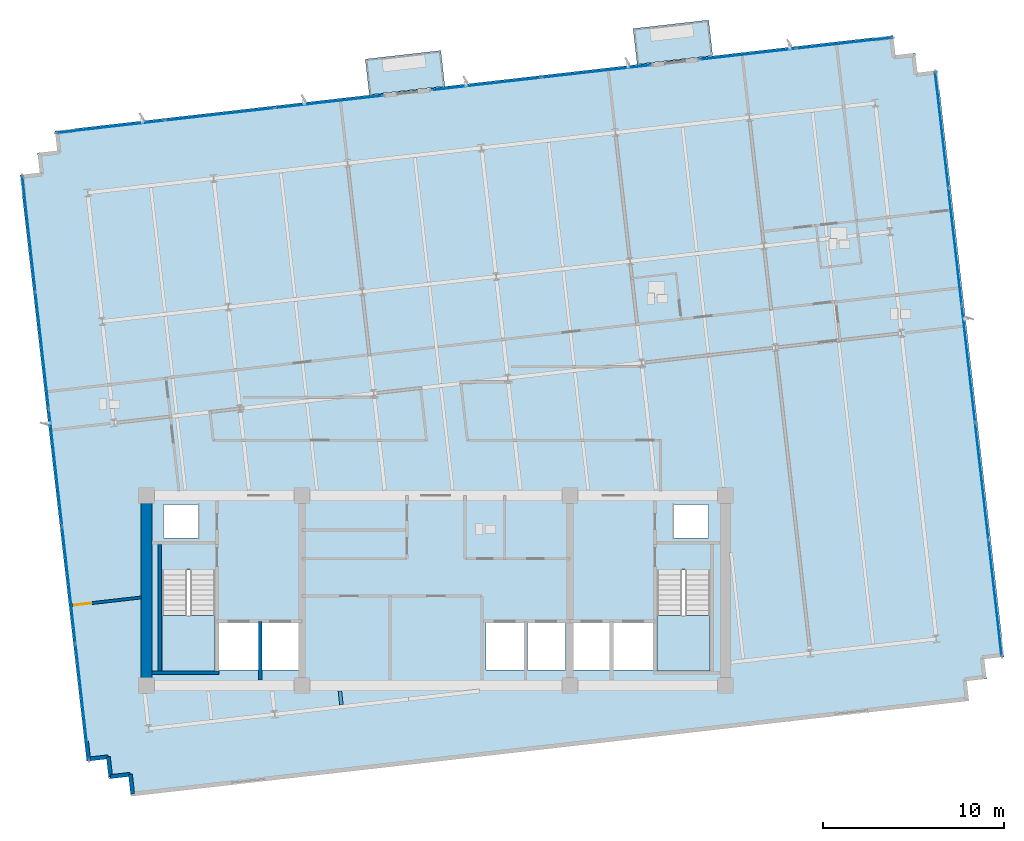
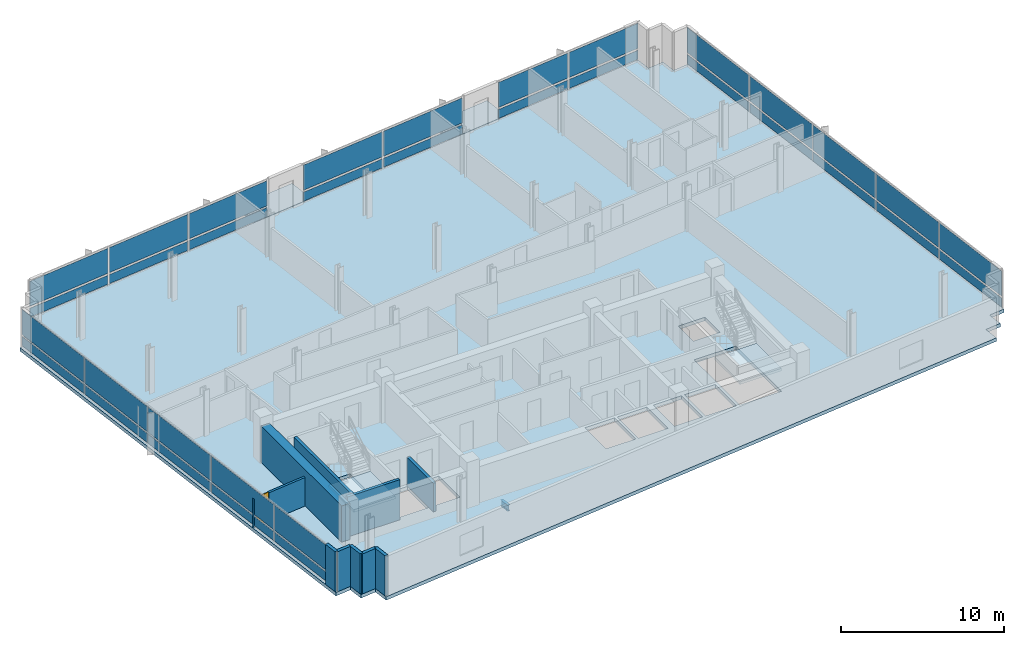
# One storey, part 7 of 14: 34 plates, 10 walls, 5 slabs, 1 beam, 1 door, 1 opening, 7 elements without a shape of their own.
"""IFC4 building model written with IfcOpenShell, lengths in metres."""

from ifc_helpers import new_model, si_unit, direction, frame, frame_2d, origin, origin_2d, place, context, subcontext, project, spatial, polyline, rectangle, i_section, outline, extrude, material, layer, layer_set, material_profile, profile_set, type_object, element, fill, aggregate, save


model = new_model("IFC4")

# Units and contexts
model_context = context("Model", 3, precision=1e-05, world=origin(), true_north=direction((0.0, 1.0)))
body_context = subcontext(model_context, "Body", "Model", "MODEL_VIEW")
ifc_project = project(units=[si_unit("LENGTHUNIT", "METRE"), si_unit("AREAUNIT", "SQUARE_METRE"), si_unit("VOLUMEUNIT", "CUBIC_METRE"), si_unit("PLANEANGLEUNIT", "RADIAN"), si_unit("MASSUNIT", "GRAM", prefix="KILO")], contexts=[model_context])

# Site, building, storey
site_placement = place(None, origin())
site = spatial("IfcSite", under=ifc_project, at=site_placement, CompositionType="ELEMENT")
building_placement = place(site_placement, origin())
building = spatial("IfcBuilding", under=site, at=building_placement, Name="Solmavex Isthmus Hotel", CompositionType="ELEMENT")
storey_placement = place(building_placement, frame((0.0, 0.0, 236.550048828125)))
storey = spatial("IfcBuildingStorey", under=building, at=storey_placement, Name="L64", CompositionType="ELEMENT", Elevation=236.550048828125)

# Beam
ifc_material_1 = material(Name="Steel ASTM A992 Grade 50", Category="steel")
ifc_material_profile = material_profile(ifc_material_1, i_section(OverallWidth=0.1904296875, OverallDepth=0.456787109375, WebThickness=0.009033203125, FlangeThickness=0.014404296875, FilletRadius=0.0126953125, at=origin_2d()), Name="W18X50")
ifc_profile_set = profile_set([ifc_material_profile], Name="Steel ASTM A992 Grade 50")
beam_type = type_object("IfcBeamType", Name="BM-BJ-W18X50", PredefinedType="JOIST", material=ifc_profile_set)
beam_placement = place(storey_placement, frame((-5.2236328125, -14.05419921875, -0.488525390625), z_axis=(-0.112902470797, 0.993606074905, 0.0), x_axis=(-0.993606074905, -0.112902470797, 0.0)))
element("IfcBeam", 1, at=beam_placement, inside=storey, type_object=beam_type, Name="Secondary Floor Joist L64-J05", PredefinedType="JOIST", context=body_context, shape_type="SweptSolid", body=[
    extrude(i_section(OverallWidth=0.1904296875, OverallDepth=0.456787109375, WebThickness=0.009033203125, FlangeThickness=0.014404296875, FilletRadius=0.0126953125, at=origin_2d()), origin(), (0.0, 0.0, 1.0), 0.759033203125),
])

# Curtain wall, plates
ifc_material_2 = material(Name="Aluminium alloy 6063-T6", Category="aluminium")
curtain_wall_type = type_object("IfcCurtainWallType", Name="CW-SYS-04", PredefinedType="NOTDEFINED", material=ifc_material_2)
curtain_wall_1_placement = place(storey_placement, origin())
curtain_wall_1 = element("IfcCurtainWall", 2, at=curtain_wall_1_placement, inside=storey, type_object=curtain_wall_type, Name="Stick Curtain Wall CWL-L64-N1", PredefinedType="NOTDEFINED")
ifc_material_3 = material(Name="Clear low-E laminated glass", Category="glass")
ifc_layer_1 = layer(ifc_material_3, 0.033935546875)
ifc_layer_set_1 = layer_set([ifc_layer_1], Name="Clear low-E laminated glass")
plate_type = type_object("IfcPlateType", Name="CW-SYS-04-PNL", PredefinedType="CURTAIN_PANEL", material=ifc_layer_set_1)
plate_1_placement = place(storey_placement, frame((-17.985595703125, 17.87109375, 0.14990234375), z_axis=(0.0, 0.0, 1.0), x_axis=(0.993571885329, 0.113202953513, 0.0)))
plate_1 = element("IfcPlate", 3, at=plate_1_placement, type_object=plate_type, Name="CW-04 panel 1.1", PredefinedType="CURTAIN_PANEL", context=body_context, shape_type="SweptSolid", body=[
    extrude(rectangle(XDim=5.979736328125, YDim=0.033935546875, at=origin_2d()), origin(), (0.0, 0.0, 1.0), 0.675048828125),
])
plate_2_placement = place(storey_placement, frame((-17.985595703125, 17.87109375, 0.974853515625), z_axis=(0.0, 0.0, 1.0), x_axis=(0.993571885329, 0.113202953513, 0.0)))
plate_2 = element("IfcPlate", 4, at=plate_2_placement, type_object=plate_type, Name="CW-04 panel 1.2", PredefinedType="CURTAIN_PANEL", context=body_context, shape_type="SweptSolid", body=[
    extrude(rectangle(XDim=5.979736328125, YDim=0.033935546875, at=origin_2d()), origin(), (0.0, 0.0, 1.0), 1.875),
])
plate_3_placement = place(storey_placement, frame((-11.951171875, 18.558837890625, 0.14990234375), z_axis=(0.0, 0.0, 1.0), x_axis=(0.993571885329, 0.113202953513, 0.0)))
plate_3 = element("IfcPlate", 5, at=plate_3_placement, type_object=plate_type, Name="CW-04 panel 2.1", PredefinedType="CURTAIN_PANEL", context=body_context, shape_type="SweptSolid", body=[
    extrude(rectangle(XDim=6.017333984375, YDim=0.033935546875, at=origin_2d()), origin(), (0.0, 0.0, 1.0), 0.675048828125),
])
plate_4_placement = place(storey_placement, frame((-11.951171875, 18.558837890625, 0.974853515625), z_axis=(0.0, 0.0, 1.0), x_axis=(0.993571885329, 0.113202953513, 0.0)))
plate_4 = element("IfcPlate", 6, at=plate_4_placement, type_object=plate_type, Name="CW-04 panel 2.2", PredefinedType="CURTAIN_PANEL", context=body_context, shape_type="SweptSolid", body=[
    extrude(rectangle(XDim=6.017333984375, YDim=0.033935546875, at=origin_2d()), origin(), (0.0, 0.0, 1.0), 1.875),
])
plate_5_placement = place(storey_placement, frame((-5.91650390625, 19.246337890625, 0.14990234375), z_axis=(0.0, 0.0, 1.0), x_axis=(0.993571885329, 0.113202953513, 0.0)))
plate_5 = element("IfcPlate", 7, at=plate_5_placement, type_object=plate_type, Name="CW-04 panel 3.1", PredefinedType="CURTAIN_PANEL", context=body_context, shape_type="SweptSolid", body=[
    extrude(rectangle(XDim=5.979736328125, YDim=0.033935546875, at=origin_2d()), origin(), (0.0, 0.0, 1.0), 0.675048828125),
])
plate_6_placement = place(storey_placement, frame((-5.91650390625, 19.246337890625, 0.974853515625), z_axis=(0.0, 0.0, 1.0), x_axis=(0.993571885329, 0.113202953513, 0.0)))
plate_6 = element("IfcPlate", 8, at=plate_6_placement, type_object=plate_type, Name="CW-04 panel 3.2", PredefinedType="CURTAIN_PANEL", context=body_context, shape_type="SweptSolid", body=[
    extrude(rectangle(XDim=5.979736328125, YDim=0.033935546875, at=origin_2d()), origin(), (0.0, 0.0, 1.0), 1.875),
])
aggregate(curtain_wall_1, [plate_1, plate_2, plate_3, plate_4, plate_5, plate_6])

curtain_wall_2_placement = place(storey_placement, origin())
curtain_wall_2 = element("IfcCurtainWall", 9, at=curtain_wall_2_placement, inside=storey, type_object=curtain_wall_type, Name="Stick Curtain Wall CWL-L64-N2", PredefinedType="NOTDEFINED")
plate_7_placement = place(storey_placement, frame((2.78369140625, 20.237548828125, 0.14990234375), z_axis=(0.0, 0.0, 1.0), x_axis=(0.993571896348, 0.113202856801, 0.0)))
plate_7 = element("IfcPlate", 10, at=plate_7_placement, type_object=plate_type, Name="CW-04 panel 1.1", PredefinedType="CURTAIN_PANEL", context=body_context, shape_type="SweptSolid", body=[
    extrude(rectangle(XDim=6.033447265625, YDim=0.033935546875, at=origin_2d()), origin(), (0.0, 0.0, 1.0), 0.675048828125),
])
plate_8_placement = place(storey_placement, frame((2.78369140625, 20.237548828125, 0.974853515625), z_axis=(0.0, 0.0, 1.0), x_axis=(0.993571896348, 0.113202856801, 0.0)))
plate_8 = element("IfcPlate", 11, at=plate_8_placement, type_object=plate_type, Name="CW-04 panel 1.2", PredefinedType="CURTAIN_PANEL", context=body_context, shape_type="SweptSolid", body=[
    extrude(rectangle(XDim=6.033447265625, YDim=0.033935546875, at=origin_2d()), origin(), (0.0, 0.0, 1.0), 1.875),
])
plate_9_placement = place(storey_placement, frame((8.85302734375, 20.928955078125, 0.14990234375), z_axis=(0.0, 0.0, 1.0), x_axis=(0.993571896348, 0.113202856801, 0.0)))
plate_9 = element("IfcPlate", 12, at=plate_9_placement, type_object=plate_type, Name="CW-04 panel 2.1", PredefinedType="CURTAIN_PANEL", context=body_context, shape_type="SweptSolid", body=[
    extrude(rectangle(XDim=6.033447265625, YDim=0.033935546875, at=origin_2d()), origin(), (0.0, 0.0, 1.0), 0.675048828125),
])
plate_10_placement = place(storey_placement, frame((8.85302734375, 20.928955078125, 0.974853515625), z_axis=(0.0, 0.0, 1.0), x_axis=(0.993571896348, 0.113202856801, 0.0)))
plate_10 = element("IfcPlate", 13, at=plate_10_placement, type_object=plate_type, Name="CW-04 panel 2.2", PredefinedType="CURTAIN_PANEL", context=body_context, shape_type="SweptSolid", body=[
    extrude(rectangle(XDim=6.033447265625, YDim=0.033935546875, at=origin_2d()), origin(), (0.0, 0.0, 1.0), 1.875),
])
aggregate(curtain_wall_2, [plate_7, plate_8, plate_9, plate_10])

curtain_wall_3_placement = place(storey_placement, origin())
curtain_wall_3 = element("IfcCurtainWall", 14, at=curtain_wall_3_placement, inside=storey, type_object=curtain_wall_type, Name="Stick Curtain Wall CWL-L64-N3", PredefinedType="NOTDEFINED")
plate_11_placement = place(storey_placement, frame((17.217041015625, 21.882080078125, 0.14990234375), z_axis=(0.0, 0.0, 1.0), x_axis=(0.993571797279, 0.113203726319, 0.0)))
plate_11 = element("IfcPlate", 15, at=plate_11_placement, type_object=plate_type, Name="CW-04 panel 1.1", PredefinedType="CURTAIN_PANEL", context=body_context, shape_type="SweptSolid", body=[
    extrude(rectangle(XDim=5.302978515625, YDim=0.033935546875, at=origin_2d()), origin(), (0.0, 0.0, 1.0), 0.675048828125),
])
plate_12_placement = place(storey_placement, frame((17.217041015625, 21.882080078125, 0.974853515625), z_axis=(0.0, 0.0, 1.0), x_axis=(0.993571797279, 0.113203726319, 0.0)))
plate_12 = element("IfcPlate", 16, at=plate_12_placement, type_object=plate_type, Name="CW-04 panel 1.2", PredefinedType="CURTAIN_PANEL", context=body_context, shape_type="SweptSolid", body=[
    extrude(rectangle(XDim=5.302978515625, YDim=0.033935546875, at=origin_2d()), origin(), (0.0, 0.0, 1.0), 1.875),
])
plate_13_placement = place(storey_placement, frame((22.560546875, 22.49072265625, 0.14990234375), z_axis=(0.0, 0.0, 1.0), x_axis=(0.993571797279, 0.113203726319, 0.0)))
plate_13 = element("IfcPlate", 17, at=plate_13_placement, type_object=plate_type, Name="CW-04 panel 2.1", PredefinedType="CURTAIN_PANEL", context=body_context, shape_type="SweptSolid", body=[
    extrude(rectangle(XDim=5.302978515625, YDim=0.033935546875, at=origin_2d()), origin(), (0.0, 0.0, 1.0), 0.675048828125),
])
plate_14_placement = place(storey_placement, frame((22.560546875, 22.49072265625, 0.974853515625), z_axis=(0.0, 0.0, 1.0), x_axis=(0.993571797279, 0.113203726319, 0.0)))
plate_14 = element("IfcPlate", 18, at=plate_14_placement, type_object=plate_type, Name="CW-04 panel 2.2", PredefinedType="CURTAIN_PANEL", context=body_context, shape_type="SweptSolid", body=[
    extrude(rectangle(XDim=5.302978515625, YDim=0.033935546875, at=origin_2d()), origin(), (0.0, 0.0, 1.0), 1.875),
])
aggregate(curtain_wall_3, [plate_11, plate_12, plate_13, plate_14])

curtain_wall_4_placement = place(storey_placement, origin())
curtain_wall_4 = element("IfcCurtainWall", 19, at=curtain_wall_4_placement, inside=storey, type_object=curtain_wall_type, Name="Stick Curtain Wall CWL-L64-W1", PredefinedType="NOTDEFINED")
plate_15_placement = place(storey_placement, frame((-19.542724609375, -13.91064453125, 0.14990234375), z_axis=(0.0, 0.0, 1.0), x_axis=(-0.11320338078, 0.993571836648, 0.0)))
plate_15 = element("IfcPlate", 20, at=plate_15_placement, type_object=plate_type, Name="CW-04 panel 1.1", PredefinedType="CURTAIN_PANEL", context=body_context, shape_type="SweptSolid", body=[
    extrude(rectangle(XDim=6.407470703125, YDim=0.033935546875, at=origin_2d()), origin(), (0.0, 0.0, 1.0), 0.675048828125),
])
plate_16_placement = place(storey_placement, frame((-19.542724609375, -13.91064453125, 0.974853515625), z_axis=(0.0, 0.0, 1.0), x_axis=(-0.11320338078, 0.993571836648, 0.0)))
plate_16 = element("IfcPlate", 21, at=plate_16_placement, type_object=plate_type, Name="CW-04 panel 1.2", PredefinedType="CURTAIN_PANEL", context=body_context, shape_type="SweptSolid", body=[
    extrude(rectangle(XDim=6.407470703125, YDim=0.033935546875, at=origin_2d()), origin(), (0.0, 0.0, 1.0), 1.875),
])
plate_17_placement = place(storey_placement, frame((-20.27880859375, -7.451171875, 0.14990234375), z_axis=(0.0, 0.0, 1.0), x_axis=(-0.11320338078, 0.993571836648, 0.0)))
plate_17 = element("IfcPlate", 22, at=plate_17_placement, type_object=plate_type, Name="CW-04 panel 2.1", PredefinedType="CURTAIN_PANEL", context=body_context, shape_type="SweptSolid", body=[
    extrude(rectangle(XDim=6.445068359375, YDim=0.033935546875, at=origin_2d()), origin(), (0.0, 0.0, 1.0), 0.675048828125),
])
plate_18_placement = place(storey_placement, frame((-20.27880859375, -7.451171875, 0.974853515625), z_axis=(0.0, 0.0, 1.0), x_axis=(-0.11320338078, 0.993571836648, 0.0)))
plate_18 = element("IfcPlate", 23, at=plate_18_placement, type_object=plate_type, Name="CW-04 panel 2.2", PredefinedType="CURTAIN_PANEL", context=body_context, shape_type="SweptSolid", body=[
    extrude(rectangle(XDim=6.445068359375, YDim=0.033935546875, at=origin_2d()), origin(), (0.0, 0.0, 1.0), 1.875),
])
plate_19_placement = place(storey_placement, frame((-21.016845703125, -0.97314453125, 0.14990234375), z_axis=(0.0, 0.0, 1.0), x_axis=(-0.11320338078, 0.993571836648, 0.0)))
plate_19 = element("IfcPlate", 24, at=plate_19_placement, type_object=plate_type, Name="CW-04 panel 3.1", PredefinedType="CURTAIN_PANEL", context=body_context, shape_type="SweptSolid", body=[
    extrude(rectangle(XDim=6.445068359375, YDim=0.033935546875, at=origin_2d()), origin(), (0.0, 0.0, 1.0), 0.675048828125),
])
plate_20_placement = place(storey_placement, frame((-21.016845703125, -0.97314453125, 0.974853515625), z_axis=(0.0, 0.0, 1.0), x_axis=(-0.11320338078, 0.993571836648, 0.0)))
plate_20 = element("IfcPlate", 25, at=plate_20_placement, type_object=plate_type, Name="CW-04 panel 3.2", PredefinedType="CURTAIN_PANEL", context=body_context, shape_type="SweptSolid", body=[
    extrude(rectangle(XDim=6.445068359375, YDim=0.033935546875, at=origin_2d()), origin(), (0.0, 0.0, 1.0), 1.875),
])
plate_21_placement = place(storey_placement, frame((-21.7548828125, 5.5048828125, 0.14990234375), z_axis=(0.0, 0.0, 1.0), x_axis=(-0.11320338078, 0.993571836648, 0.0)))
plate_21 = element("IfcPlate", 26, at=plate_21_placement, type_object=plate_type, Name="CW-04 panel 4.1", PredefinedType="CURTAIN_PANEL", context=body_context, shape_type="SweptSolid", body=[
    extrude(rectangle(XDim=6.445068359375, YDim=0.033935546875, at=origin_2d()), origin(), (0.0, 0.0, 1.0), 0.675048828125),
])
plate_22_placement = place(storey_placement, frame((-21.7548828125, 5.5048828125, 0.974853515625), z_axis=(0.0, 0.0, 1.0), x_axis=(-0.11320338078, 0.993571836648, 0.0)))
plate_22 = element("IfcPlate", 27, at=plate_22_placement, type_object=plate_type, Name="CW-04 panel 4.2", PredefinedType="CURTAIN_PANEL", context=body_context, shape_type="SweptSolid", body=[
    extrude(rectangle(XDim=6.445068359375, YDim=0.033935546875, at=origin_2d()), origin(), (0.0, 0.0, 1.0), 1.875),
])
plate_23_placement = place(storey_placement, frame((-22.490966796875, 11.96435546875, 0.14990234375), z_axis=(0.0, 0.0, 1.0), x_axis=(-0.11320338078, 0.993571836648, 0.0)))
plate_23 = element("IfcPlate", 28, at=plate_23_placement, type_object=plate_type, Name="CW-04 panel 5.1", PredefinedType="CURTAIN_PANEL", context=body_context, shape_type="SweptSolid", body=[
    extrude(rectangle(XDim=6.407470703125, YDim=0.033935546875, at=origin_2d()), origin(), (0.0, 0.0, 1.0), 0.675048828125),
])
plate_24_placement = place(storey_placement, frame((-22.490966796875, 11.96435546875, 0.974853515625), z_axis=(0.0, 0.0, 1.0), x_axis=(-0.11320338078, 0.993571836648, 0.0)))
plate_24 = element("IfcPlate", 29, at=plate_24_placement, type_object=plate_type, Name="CW-04 panel 5.2", PredefinedType="CURTAIN_PANEL", context=body_context, shape_type="SweptSolid", body=[
    extrude(rectangle(XDim=6.407470703125, YDim=0.033935546875, at=origin_2d()), origin(), (0.0, 0.0, 1.0), 1.875),
])
aggregate(curtain_wall_4, [plate_15, plate_16, plate_17, plate_18, plate_19, plate_20, plate_21, plate_22, plate_23, plate_24])

curtain_wall_5_placement = place(storey_placement, origin())
curtain_wall_5 = element("IfcCurtainWall", 30, at=curtain_wall_5_placement, inside=storey, type_object=curtain_wall_type, Name="Stick Curtain Wall CWL-L64-E1", PredefinedType="NOTDEFINED")
plate_25_placement = place(storey_placement, frame((30.890869140625, -8.16455078125, 0.14990234375), z_axis=(0.0, 0.0, 1.0), x_axis=(-0.11320338078, 0.993571836648, 0.0)))
plate_25 = element("IfcPlate", 31, at=plate_25_placement, type_object=plate_type, Name="CW-04 panel 1.1", PredefinedType="CURTAIN_PANEL", context=body_context, shape_type="SweptSolid", body=[
    extrude(rectangle(XDim=6.407470703125, YDim=0.033935546875, at=origin_2d()), origin(), (0.0, 0.0, 1.0), 0.675048828125),
])
plate_26_placement = place(storey_placement, frame((30.890869140625, -8.16455078125, 0.974853515625), z_axis=(0.0, 0.0, 1.0), x_axis=(-0.11320338078, 0.993571836648, 0.0)))
plate_26 = element("IfcPlate", 32, at=plate_26_placement, type_object=plate_type, Name="CW-04 panel 1.2", PredefinedType="CURTAIN_PANEL", context=body_context, shape_type="SweptSolid", body=[
    extrude(rectangle(XDim=6.407470703125, YDim=0.033935546875, at=origin_2d()), origin(), (0.0, 0.0, 1.0), 1.875),
])
plate_27_placement = place(storey_placement, frame((30.155029296875, -1.705078125, 0.14990234375), z_axis=(0.0, 0.0, 1.0), x_axis=(-0.11320338078, 0.993571836648, 0.0)))
plate_27 = element("IfcPlate", 33, at=plate_27_placement, type_object=plate_type, Name="CW-04 panel 2.1", PredefinedType="CURTAIN_PANEL", context=body_context, shape_type="SweptSolid", body=[
    extrude(rectangle(XDim=6.445068359375, YDim=0.033935546875, at=origin_2d()), origin(), (0.0, 0.0, 1.0), 0.675048828125),
])
plate_28_placement = place(storey_placement, frame((30.155029296875, -1.705078125, 0.974853515625), z_axis=(0.0, 0.0, 1.0), x_axis=(-0.11320338078, 0.993571836648, 0.0)))
plate_28 = element("IfcPlate", 34, at=plate_28_placement, type_object=plate_type, Name="CW-04 panel 2.2", PredefinedType="CURTAIN_PANEL", context=body_context, shape_type="SweptSolid", body=[
    extrude(rectangle(XDim=6.445068359375, YDim=0.033935546875, at=origin_2d()), origin(), (0.0, 0.0, 1.0), 1.875),
])
plate_29_placement = place(storey_placement, frame((29.416748046875, 4.773193359375, 0.14990234375), z_axis=(0.0, 0.0, 1.0), x_axis=(-0.11320338078, 0.993571836648, 0.0)))
plate_29 = element("IfcPlate", 35, at=plate_29_placement, type_object=plate_type, Name="CW-04 panel 3.1", PredefinedType="CURTAIN_PANEL", context=body_context, shape_type="SweptSolid", body=[
    extrude(rectangle(XDim=6.445068359375, YDim=0.033935546875, at=origin_2d()), origin(), (0.0, 0.0, 1.0), 0.675048828125),
])
plate_30_placement = place(storey_placement, frame((29.416748046875, 4.773193359375, 0.974853515625), z_axis=(0.0, 0.0, 1.0), x_axis=(-0.11320338078, 0.993571836648, 0.0)))
plate_30 = element("IfcPlate", 36, at=plate_30_placement, type_object=plate_type, Name="CW-04 panel 3.2", PredefinedType="CURTAIN_PANEL", context=body_context, shape_type="SweptSolid", body=[
    extrude(rectangle(XDim=6.445068359375, YDim=0.033935546875, at=origin_2d()), origin(), (0.0, 0.0, 1.0), 1.875),
])
plate_31_placement = place(storey_placement, frame((28.6787109375, 11.251220703125, 0.14990234375), z_axis=(0.0, 0.0, 1.0), x_axis=(-0.11320338078, 0.993571836648, 0.0)))
plate_31 = element("IfcPlate", 37, at=plate_31_placement, type_object=plate_type, Name="CW-04 panel 4.1", PredefinedType="CURTAIN_PANEL", context=body_context, shape_type="SweptSolid", body=[
    extrude(rectangle(XDim=6.445068359375, YDim=0.033935546875, at=origin_2d()), origin(), (0.0, 0.0, 1.0), 0.675048828125),
])
plate_32_placement = place(storey_placement, frame((28.6787109375, 11.251220703125, 0.974853515625), z_axis=(0.0, 0.0, 1.0), x_axis=(-0.11320338078, 0.993571836648, 0.0)))
plate_32 = element("IfcPlate", 38, at=plate_32_placement, type_object=plate_type, Name="CW-04 panel 4.2", PredefinedType="CURTAIN_PANEL", context=body_context, shape_type="SweptSolid", body=[
    extrude(rectangle(XDim=6.445068359375, YDim=0.033935546875, at=origin_2d()), origin(), (0.0, 0.0, 1.0), 1.875),
])
plate_33_placement = place(storey_placement, frame((27.94287109375, 17.710693359375, 0.14990234375), z_axis=(0.0, 0.0, 1.0), x_axis=(-0.11320338078, 0.993571836648, 0.0)))
plate_33 = element("IfcPlate", 39, at=plate_33_placement, type_object=plate_type, Name="CW-04 panel 5.1", PredefinedType="CURTAIN_PANEL", context=body_context, shape_type="SweptSolid", body=[
    extrude(rectangle(XDim=6.407470703125, YDim=0.033935546875, at=origin_2d()), origin(), (0.0, 0.0, 1.0), 0.675048828125),
])
plate_34_placement = place(storey_placement, frame((27.94287109375, 17.710693359375, 0.974853515625), z_axis=(0.0, 0.0, 1.0), x_axis=(-0.11320338078, 0.993571836648, 0.0)))
plate_34 = element("IfcPlate", 40, at=plate_34_placement, type_object=plate_type, Name="CW-04 panel 5.2", PredefinedType="CURTAIN_PANEL", context=body_context, shape_type="SweptSolid", body=[
    extrude(rectangle(XDim=6.407470703125, YDim=0.033935546875, at=origin_2d()), origin(), (0.0, 0.0, 1.0), 1.875),
])
aggregate(curtain_wall_5, [plate_25, plate_26, plate_27, plate_28, plate_29, plate_30, plate_31, plate_32, plate_33, plate_34])

# Slabs
ifc_material_4 = material(Name="Concrete C40/50", Category="concrete")
ifc_layer_2 = layer(ifc_material_4, 0.239990234375)
ifc_layer_set_2 = layer_set([ifc_layer_2], Name="Concrete C40/50")
slab_type_1 = type_object("IfcSlabType", Name="SLAB-BALC-240", PredefinedType="FLOOR", material=ifc_layer_set_2)
slab_1_placement = place(storey_placement, frame((0.0, 0.0, -0.239990234375)))
element("IfcSlab", 41, at=slab_1_placement, inside=storey, type_object=slab_type_1, Name="Tree-Planter Balcony Slab L64-B1", PredefinedType="FLOOR", context=body_context, shape_type="SweptSolid", body=[
    extrude(outline(polyline([(-3.681640625, 19.63671875), (0.491455078125, 20.1123046875), (0.266845703125, 22.08447265625), (-3.90625, 21.609130859375), (-3.681640625, 19.63671875)])), origin(), (0.0, 0.0, 1.0), 0.239990234375),
])
slab_2_placement = place(storey_placement, frame((0.0, 0.0, -0.239990234375)))
element("IfcSlab", 42, at=slab_2_placement, inside=storey, type_object=slab_type_1, Name="Tree-Planter Balcony Slab L64-B2", PredefinedType="FLOOR", context=body_context, shape_type="SweptSolid", body=[
    extrude(outline(polyline([(11.11474609375, 21.322509765625), (15.287841796875, 21.798095703125), (15.06298828125, 23.770263671875), (10.89013671875, 23.294921875), (11.11474609375, 21.322509765625)])), origin(), (0.0, 0.0, 1.0), 0.239990234375),
])
ifc_layer_3 = layer(ifc_material_4, 0.260009765625)
ifc_layer_set_3 = layer_set([ifc_layer_3], Name="Concrete C40/50")
slab_type_2 = type_object("IfcSlabType", Name="SLAB-TYP-260", PredefinedType="FLOOR", material=ifc_layer_set_3)
slab_3_placement = place(storey_placement, frame((0.0, 0.0, -0.260009765625)))
element("IfcSlab", 43, at=slab_3_placement, inside=storey, type_object=slab_type_2, Name="Tower Structural Floor Slab L64", PredefinedType="FLOOR", context=body_context, shape_type="SweptSolid", body=[
    extrude(outline(polyline([(-15.762939453125, -18.994140625), (28.3515625, -13.968017578125), (29.444580078125, -13.843505859375), (29.320068359375, -12.75048828125), (30.412841796875, -12.6259765625), (30.288330078125, -11.532958984375), (31.38134765625, -11.408447265625), (31.2568359375, -10.315673828125), (27.8154296875, 19.888916015625), (27.69091796875, 20.98193359375), (26.597900390625, 20.857421875), (26.473388671875, 21.9501953125), (25.38037109375, 21.82568359375), (25.255859375, 22.918701171875), (24.1630859375, 22.794189453125), (-19.95166015625, 17.76806640625), (-21.04443359375, 17.6435546875), (-20.919921875, 16.550537109375), (-22.012939453125, 16.426025390625), (-21.888427734375, 15.3330078125), (-22.981201171875, 15.20849609375), (-22.856689453125, 14.11572265625), (-19.415283203125, -16.0888671875), (-19.290771484375, -17.181884765625), (-18.197998046875, -17.057373046875), (-18.073486328125, -18.150390625), (-16.98046875, -18.02587890625), (-16.85595703125, -19.11865234375), (-15.762939453125, -18.994140625)]), holes=[polyline([(-15.14990234375, -6.617919921875), (-15.14990234375, -12.199951171875), (-12.199951171875, -12.199951171875), (-12.199951171875, -6.617919921875), (-15.14990234375, -6.617919921875)]), polyline([(12.199951171875, -6.617919921875), (12.199951171875, -12.199951171875), (15.14990234375, -12.199951171875), (15.14990234375, -6.617919921875), (12.199951171875, -6.617919921875)]), polyline([(-12.0, -12.14990234375), (-9.800048828125, -12.14990234375), (-9.800048828125, -9.550048828125), (-12.0, -9.550048828125), (-12.0, -12.14990234375)]), polyline([(9.800048828125, -12.14990234375), (12.0, -12.14990234375), (12.0, -9.550048828125), (9.800048828125, -9.550048828125), (9.800048828125, -12.14990234375)]), polyline([(-9.60009765625, -12.14990234375), (-7.60009765625, -12.14990234375), (-7.60009765625, -9.550048828125), (-9.60009765625, -9.550048828125), (-9.60009765625, -12.14990234375)]), polyline([(7.60009765625, -12.14990234375), (9.60009765625, -12.14990234375), (9.60009765625, -9.550048828125), (7.60009765625, -9.550048828125), (7.60009765625, -12.14990234375)]), polyline([(2.75, -12.14990234375), (4.85009765625, -12.14990234375), (4.85009765625, -9.550048828125), (2.75, -9.550048828125), (2.75, -12.14990234375)]), polyline([(5.050048828125, -12.14990234375), (7.14990234375, -12.14990234375), (7.14990234375, -9.550048828125), (5.050048828125, -9.550048828125), (5.050048828125, -12.14990234375)]), polyline([(-15.050048828125, -4.85009765625), (-13.14990234375, -4.85009765625), (-13.14990234375, -3.0), (-15.050048828125, -3.0), (-15.050048828125, -4.85009765625)]), polyline([(13.14990234375, -4.85009765625), (15.050048828125, -4.85009765625), (15.050048828125, -3.0), (13.14990234375, -3.0), (13.14990234375, -4.85009765625)])]), origin(), (0.0, 0.0, 1.0), 0.260009765625),
])

# Stair, slab
stair_type_1 = type_object("IfcStairType", Name="STR-ST-1", PredefinedType="HALF_TURN_STAIR", material=ifc_material_4)
stair_1_placement = place(storey_placement, origin())
stair_1 = element("IfcStair", 44, at=stair_1_placement, inside=storey, type_object=stair_type_1, Name="L64 Protected Exit Stair ST-1", PredefinedType="HALF_TURN_STAIR")
ifc_layer_4 = layer(ifc_material_4, 0.219970703125)
ifc_layer_set_4 = layer_set([ifc_layer_4], Name="Concrete C40/50")
slab_type_3 = type_object("IfcSlabType", Name="SLD-ST-1", PredefinedType="LANDING", material=ifc_layer_set_4)
slab_4_placement = place(storey_placement, frame((0.0, 0.0, 1.52490234375)))
slab_4 = element("IfcSlab", 45, at=slab_4_placement, type_object=slab_type_3, Name="ST-1 landing 1", PredefinedType="LANDING", context=body_context, shape_type="SweptSolid", body=[
    extrude(outline(polyline([(-15.14990234375, -9.1201171875), (-15.14990234375, -12.199951171875), (-12.199951171875, -12.199951171875), (-12.199951171875, -9.1201171875), (-15.14990234375, -9.1201171875)])), origin(), (0.0, 0.0, 1.0), 0.199951171875),
])
aggregate(stair_1, [slab_4])

stair_type_2 = type_object("IfcStairType", Name="STR-ST-2", PredefinedType="HALF_TURN_STAIR", material=ifc_material_4)
stair_2_placement = place(storey_placement, origin())
stair_2 = element("IfcStair", 46, at=stair_2_placement, inside=storey, type_object=stair_type_2, Name="L64 Protected Exit Stair ST-2", PredefinedType="HALF_TURN_STAIR")
ifc_layer_5 = layer(ifc_material_4, 0.219970703125)
ifc_layer_set_5 = layer_set([ifc_layer_5], Name="Concrete C40/50")
slab_type_4 = type_object("IfcSlabType", Name="SLD-ST-2", PredefinedType="LANDING", material=ifc_layer_set_5)
slab_5_placement = place(storey_placement, frame((0.0, 0.0, 1.52490234375)))
slab_5 = element("IfcSlab", 47, at=slab_5_placement, type_object=slab_type_4, Name="ST-2 landing 1", PredefinedType="LANDING", context=body_context, shape_type="SweptSolid", body=[
    extrude(outline(polyline([(12.199951171875, -9.1201171875), (12.199951171875, -12.199951171875), (15.14990234375, -12.199951171875), (15.14990234375, -9.1201171875), (12.199951171875, -9.1201171875)])), origin(), (0.0, 0.0, 1.0), 0.199951171875),
])
aggregate(stair_2, [slab_5])

# Walls
ifc_material_5 = material(Name="Precast Concrete C40/50", Category="concrete")
ifc_layer_6 = layer(ifc_material_5, 0.25)
ifc_layer_set_6 = layer_set([ifc_layer_6], Name="Precast Concrete C40/50")
wall_type_1 = type_object("IfcWallType", Name="EW-TWR-250", PredefinedType="STANDARD", material=ifc_layer_set_6)
for number, where, z_axis, x_axis, name in (
    (48, (-16.759033203125, -18.9970703125, 0.0), (0.0, 0.0, 1.0), (-0.113183557839, 0.99357409499, 0.0), "Serrated Corner Facade Panel L64-01"),
    (49, (-16.883544921875, -17.904052734375, 0.0), (0.0, 0.0, 1.0), (-0.99357409499, -0.113183557839, 0.0), "Serrated Corner Facade Panel L64-02"),
    (50, (-17.9765625, -18.028564453125, 0.0), (0.0, 0.0, 1.0), (-0.113183557839, 0.99357409499, 0.0), "Serrated Corner Facade Panel L64-03"),
    (51, (-18.10107421875, -16.935546875, 0.0), (0.0, 0.0, 1.0), (-0.99357409499, -0.113183557839, 0.0), "Serrated Corner Facade Panel L64-04"),
):
    element("IfcWall", number, at=place(storey_placement, frame(where, z_axis=z_axis, x_axis=x_axis)), inside=storey, type_object=wall_type_1, Name=name, PredefinedType="STANDARD", context=body_context, shape_type="SweptSolid", body=[
        extrude(rectangle(XDim=1.10009765625, YDim=0.219970703125, at=frame_2d((0.550048828125, 0.0))), origin(), (0.0, 0.0, 1.0), 3.0),
    ])
wall_1_placement = place(storey_placement, frame((-19.194091796875, -17.06005859375, 0.0), z_axis=(0.0, 0.0, 1.0), x_axis=(-0.113191877531, 0.993573147212, 0.0)))
element("IfcWall", 52, at=wall_1_placement, inside=storey, type_object=wall_type_1, Name="Serrated Corner Facade Panel L64-05", PredefinedType="STANDARD", context=body_context, shape_type="SweptSolid", body=[
    extrude(rectangle(XDim=0.989990234375, YDim=0.219970703125, at=frame_2d((0.4951171875, 0.0))), origin(), (0.0, 0.0, 1.0), 3.0),
])

# Wall, opening, door
ifc_material_6 = material(Name="Gypsum plasterboard lining", Category="gypsum")
ifc_layer_7 = layer(ifc_material_6, 0.159912109375)
ifc_layer_set_7 = layer_set([ifc_layer_7], Name="Gypsum plasterboard lining")
wall_type_2 = type_object("IfcWallType", Name="IW-COMP-160", PredefinedType="PARTITIONING", material=ifc_layer_set_7)
wall_2_placement = place(storey_placement, frame((-16.26025390625, -8.130615234375, 0.0), z_axis=(0.0, 0.0, 1.0), x_axis=(-0.993573586503, -0.11318802147, 0.0)))
wall_2 = element("IfcWall", 53, at=wall_2_placement, inside=storey, type_object=wall_type_2, Name="Interior Partition Wall W-L64-P046", PredefinedType="PARTITIONING", context=body_context, shape_type="SweptSolid", body=[
    extrude(rectangle(XDim=3.955810546875, YDim=0.159912109375, at=frame_2d((1.97802734375, 0.0))), origin(), (0.0, 0.0, 1.0), 2.135009765625),
])
opening_placement = place(wall_2_placement, frame((2.7958984375, 0.0, 0.0)))
opening = element("IfcOpeningElement", 54, at=opening_placement, cuts=wall_2, Name="Opening ID-C095", PredefinedType="OPENING", context=body_context, shape_type="SweptSolid", body=[
    extrude(rectangle(XDim=0.949951171875, YDim=2.14990234375, at=frame_2d((0.47509765625, 1.074951171875))), frame((0.0, 0.08984375, 0.0), z_axis=(0.0, -1.0, 0.0), x_axis=(1.0, 0.0, 0.0)), (0.0, 0.0, 1.0), 0.179931640625),
])
ifc_material_7 = material(Name="Hardwood timber", Category="wood")
door_type = type_object("IfcDoorType", Name="IDR-FD60-0950", OperationType="NOTDEFINED", PredefinedType="DOOR", material=ifc_material_7)
door_placement = place(opening_placement, frame((0.949951171875, 0.0, 0.0), z_axis=(0.0, 0.0, 1.0), x_axis=(-1.0, 0.0, 0.0)))
door = element("IfcDoor", 55, at=door_placement, inside=storey, type_object=door_type, Name="Corporate Briefing Office Door L64-13", OperationType="SINGLE_SWING_LEFT", OverallHeight=2.14990234375, OverallWidth=0.949951171875, PredefinedType="DOOR", context=body_context, shape_type="SweptSolid", body=[
    extrude(rectangle(XDim=0.949951171875, YDim=2.14990234375, at=frame_2d((0.47509765625, 1.074951171875))), frame((0.0, 0.02490234375, 0.0), z_axis=(0.0, -1.0, 0.0), x_axis=(1.0, 0.0, 0.0)), (0.0, 0.0, 1.0), 0.050048828125),
])
fill(opening, door)

# Walls
ifc_layer_8 = layer(ifc_material_4, 0.199951171875)
ifc_layer_set_8 = layer_set([ifc_layer_8], Name="Concrete C40/50")
wall_type_3 = type_object("IfcWallType", Name="IW-SHAFT-200", PredefinedType="PARTITIONING", material=ifc_layer_set_8)
wall_3_placement = place(storey_placement, frame((-9.699951171875, -12.699951171875, 0.0), z_axis=(0.0, 0.0, 1.0), x_axis=(0.0, 1.0, 0.0)))
element("IfcWall", 56, at=wall_3_placement, inside=storey, type_object=wall_type_3, Name="Interior Partition Wall W-L64-FFLW-M", PredefinedType="PARTITIONING", context=body_context, shape_type="SweptSolid", body=[
    extrude(rectangle(XDim=3.25, YDim=0.199951171875, at=frame_2d((1.625, 0.0))), origin(), (0.0, 0.0, 1.0), 2.135009765625),
])
ifc_material_8 = material(Name="Concrete C50/60", Category="concrete")
ifc_layer_9 = layer(ifc_material_8, 0.60009765625)
ifc_layer_set_9 = layer_set([ifc_layer_9], Name="Concrete C50/60")
wall_type_4 = type_object("IfcWallType", Name="WALL-CW-600", PredefinedType="SHEAR", material=ifc_layer_set_9)
wall_4_placement = place(storey_placement, frame((-16.0, -12.699951171875, 0.0), z_axis=(0.0, 0.0, 1.0), x_axis=(0.0, 1.0, 0.0)))
element("IfcWall", 57, at=wall_4_placement, inside=storey, type_object=wall_type_4, Name="Core Shear Wall West L64", PredefinedType="SHEAR", context=body_context, shape_type="SweptSolid", body=[
    extrude(rectangle(XDim=9.89990234375, YDim=0.60009765625, at=frame_2d((4.949951171875, 0.0))), origin(), (0.0, 0.0, 1.0), 2.719970703125),
])
ifc_layer_10 = layer(ifc_material_4, 0.199951171875)
ifc_layer_set_10 = layer_set([ifc_layer_10], Name="Concrete C40/50")
wall_type_5 = type_object("IfcWallType", Name="WALL-SW-200", PredefinedType="SOLIDWALL", material=ifc_layer_set_10)
wall_5_placement = place(storey_placement, frame((-15.699951171875, -12.300048828125, 0.0), z_axis=(0.0, 0.0, 1.0), x_axis=(1.0, 0.0, 0.0)))
element("IfcWall", 58, at=wall_5_placement, inside=storey, type_object=wall_type_5, Name="Stairwell Structural Wall SW-L64-ST1-S", PredefinedType="SOLIDWALL", context=body_context, shape_type="SweptSolid", body=[
    extrude(rectangle(XDim=3.699951171875, YDim=0.199951171875, at=frame_2d((1.85009765625, 0.0))), origin(), (0.0, 0.0, 1.0), 3.0),
])
wall_6_placement = place(storey_placement, frame((-15.25, -12.199951171875, 0.0), z_axis=(0.0, 0.0, 1.0), x_axis=(0.0, 1.0, 0.0)))
element("IfcWall", 59, at=wall_6_placement, inside=storey, type_object=wall_type_5, Name="Stairwell Structural Wall SW-L64-ST1-W", PredefinedType="SOLIDWALL", context=body_context, shape_type="SweptSolid", body=[
    extrude(rectangle(XDim=7.0, YDim=0.199951171875, at=frame_2d((3.5, 0.0))), origin(), (0.0, 0.0, 1.0), 3.0),
])

save(model, "model.ifc")
